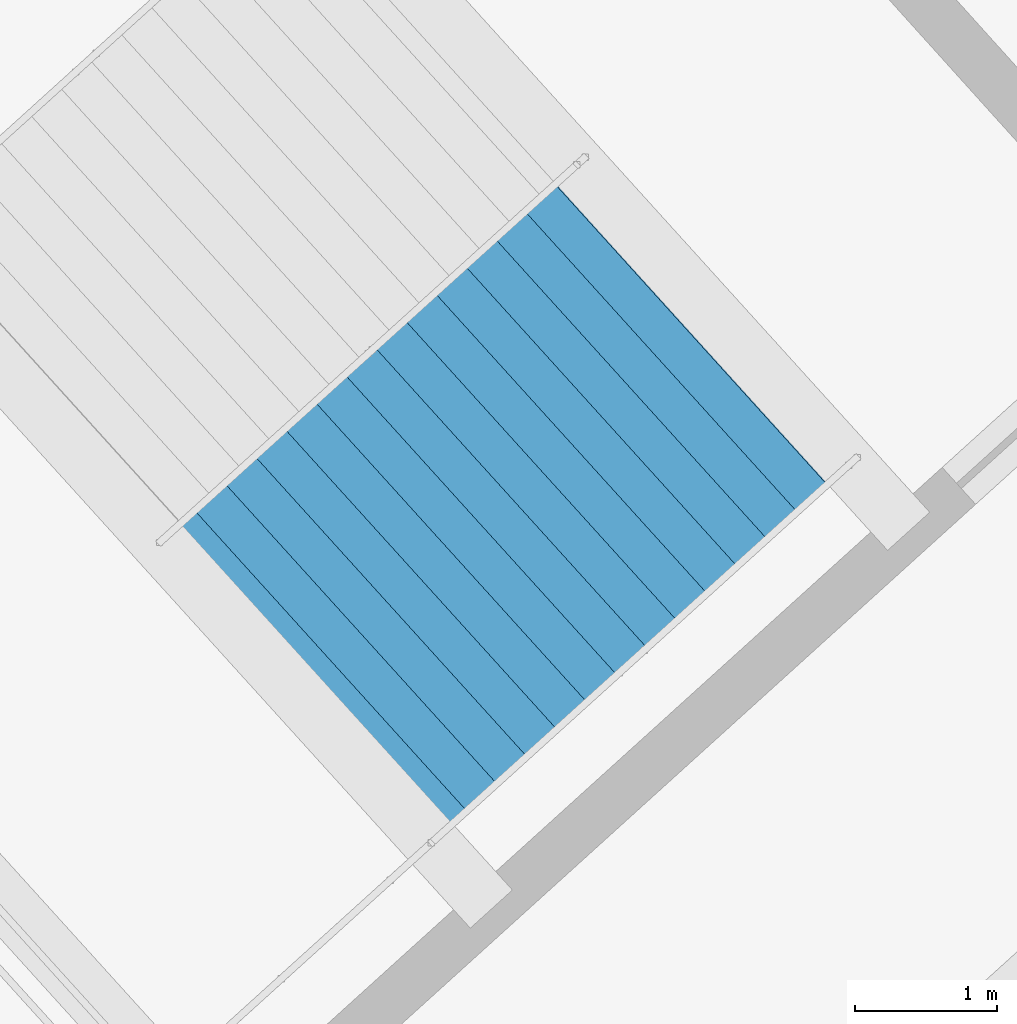
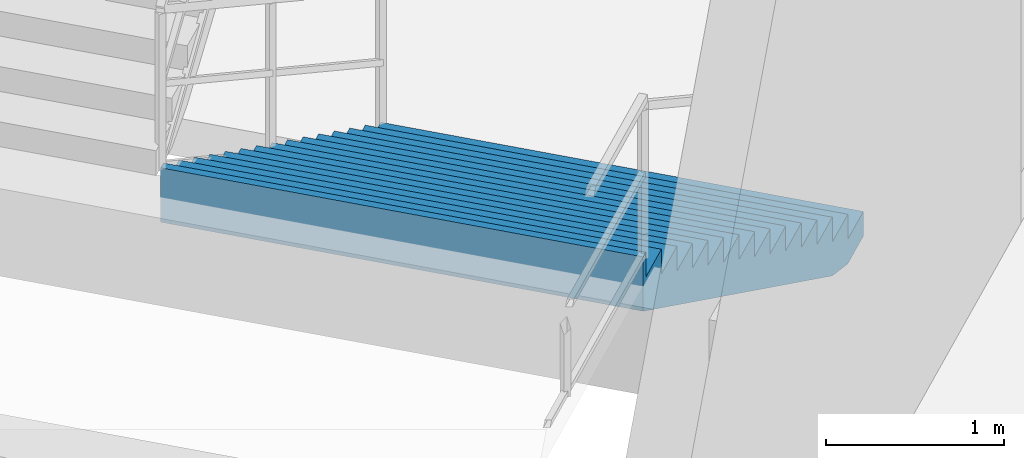
# One storey, part 169 of 184: 1 stair flight, 1 element without a shape of its own.
"""IFC4 building model written with IfcOpenShell, lengths in metres."""

from ifc_helpers import new_model, si_unit, direction, frame, origin, place, context, subcontext, project, spatial, polygons, material, type_object, element, aggregate, save


model = new_model("IFC4")

# Units and contexts
model_context = context("Model", 3, precision=1e-05, world=origin(), true_north=direction((0.0, 1.0)))
body_context = subcontext(model_context, "Body", "Model", "MODEL_VIEW")
ifc_project = project(units=[si_unit("LENGTHUNIT", "METRE"), si_unit("AREAUNIT", "SQUARE_METRE"), si_unit("VOLUMEUNIT", "CUBIC_METRE"), si_unit("PLANEANGLEUNIT", "RADIAN"), si_unit("MASSUNIT", "GRAM", prefix="KILO")], contexts=[model_context])

# Site, building, storey
site_placement = place(None, origin())
site = spatial("IfcSite", under=ifc_project, at=site_placement, CompositionType="ELEMENT")
building_placement = place(site_placement, origin())
building = spatial("IfcBuilding", under=site, at=building_placement, Name="Kazemori Nagisa Stadium", CompositionType="ELEMENT")
storey_placement = place(building_placement, frame((0.0, 0.0, 10.5400390625)))
storey = spatial("IfcBuildingStorey", under=building, at=storey_placement, Name="L02", CompositionType="ELEMENT", Elevation=10.5400390625)

# Stair, stair flight
ifc_material = material(Name="Concrete C36/45 (Fc36)", Category="concrete")
stair_type = type_object("IfcStairType", Name="Stair_CORE_30", PredefinedType="TWO_STRAIGHT_RUN_STAIR", material=ifc_material)
stair_placement = place(storey_placement, origin())
stair = element("IfcStair", 1, at=stair_placement, inside=storey, type_object=stair_type, Name="Exit stair ST02 L02", PredefinedType="TWO_STRAIGHT_RUN_STAIR")
stair_flight_type = type_object("IfcStairFlightType", Name="Flight_CORE_15", PredefinedType="STRAIGHT", material=ifc_material)
stair_flight_placement = place(storey_placement, frame((63.22412109375, 164.589599609375, 0.0), z_axis=(0.0, 0.0, 1.0), x_axis=(-0.741356002691, -0.671111970742, 0.0)))
stair_flight = element("IfcStairFlight", 2, at=stair_flight_placement, type_object=stair_flight_type, Name="Exit stair ST02 L02 flight 1", NumberOfRisers=15, NumberOfTreads=14, PredefinedType="STRAIGHT", RiserHeight=0.17, TreadLength=0.285, context=body_context, shape_type="Tessellation", body=[
    polygons([(0.0, -1.425048828125, 0.0), (0.0, -1.425048828125, 0.169921875), (0.284912109375, -1.425048828125, 0.169921875), (0.284912109375, -1.425048828125, 0.340087890625), (0.570068359375, -1.425048828125, 0.340087890625), (0.570068359375, -1.425048828125, 0.510009765625), (0.85498046875, -1.425048828125, 0.510009765625), (0.85498046875, -1.425048828125, 0.679931640625), (1.139892578125, -1.425048828125, 0.679931640625), (1.139892578125, -1.425048828125, 0.85009765625), (1.425048828125, -1.425048828125, 0.85009765625), (1.425048828125, -1.425048828125, 1.02001953125), (1.7099609375, -1.425048828125, 1.02001953125), (1.7099609375, -1.425048828125, 1.18994140625), (1.9951171875, -1.425048828125, 1.18994140625), (1.9951171875, -1.425048828125, 1.360107421875), (2.280029296875, -1.425048828125, 1.360107421875), (2.280029296875, -1.425048828125, 1.530029296875), (2.56494140625, -1.425048828125, 1.530029296875), (2.56494140625, -1.425048828125, 1.699951171875), (2.85009765625, -1.425048828125, 1.699951171875), (2.85009765625, -1.425048828125, 1.8701171875), (3.135009765625, -1.425048828125, 1.8701171875), (3.135009765625, -1.425048828125, 2.0400390625), (3.419921875, -1.425048828125, 2.0400390625), (3.419921875, -1.425048828125, 2.2099609375), (3.705078125, -1.425048828125, 2.2099609375), (3.705078125, -1.425048828125, 2.3798828125), (3.989990234375, -1.425048828125, 2.3798828125), (3.989990234375, -1.425048828125, 2.550048828125), (4.0400390625, -1.425048828125, 2.550048828125), (4.0400390625, -1.425048828125, 2.177001953125), (3.989990234375, -1.425048828125, 2.147216796875), (3.705078125, -1.425048828125, 1.977294921875), (3.419921875, -1.425048828125, 1.80712890625), (3.135009765625, -1.425048828125, 1.63720703125), (2.85009765625, -1.425048828125, 1.46728515625), (2.56494140625, -1.425048828125, 1.297119140625), (2.280029296875, -1.425048828125, 1.127197265625), (1.9951171875, -1.425048828125, 0.957275390625), (1.7099609375, -1.425048828125, 0.787109375), (1.425048828125, -1.425048828125, 0.6171875), (1.139892578125, -1.425048828125, 0.447265625), (0.85498046875, -1.425048828125, 0.277099609375), (0.570068359375, -1.425048828125, 0.107177734375), (0.284912109375, -1.425048828125, 0.0), (0.0, -0.08544921875, 0.0), (0.0, -0.08544921875, 0.169921875), (0.284912109375, -0.08544921875, 0.169921875), (0.284912109375, -0.08544921875, 0.340087890625), (0.570068359375, -0.08544921875, 0.340087890625), (0.570068359375, -0.08544921875, 0.510009765625), (0.85498046875, -0.08544921875, 0.510009765625), (0.85498046875, -0.08544921875, 0.679931640625), (1.139892578125, -0.08544921875, 0.679931640625), (1.139892578125, -0.08544921875, 0.85009765625), (1.425048828125, -0.08544921875, 0.85009765625), (1.425048828125, -0.08544921875, 1.02001953125), (1.7099609375, -0.08544921875, 1.02001953125), (1.7099609375, -0.08544921875, 1.18994140625), (1.9951171875, -0.08544921875, 1.18994140625), (1.9951171875, -0.08544921875, 1.360107421875), (2.280029296875, -0.08544921875, 1.360107421875), (2.280029296875, -0.08544921875, 1.530029296875), (2.56494140625, -0.08544921875, 1.530029296875), (2.56494140625, -0.08544921875, 1.699951171875), (2.85009765625, -0.08544921875, 1.699951171875), (2.85009765625, -0.08544921875, 1.8701171875), (3.135009765625, -0.08544921875, 1.8701171875), (3.135009765625, -0.08544921875, 2.0400390625), (3.419921875, -0.08544921875, 2.0400390625), (3.419921875, -0.08544921875, 2.2099609375), (3.705078125, -0.08544921875, 2.2099609375), (3.705078125, -0.08544921875, 2.3798828125), (3.989990234375, -0.08544921875, 2.3798828125), (3.989990234375, -0.08544921875, 2.550048828125), (4.0400390625, -0.08544921875, 2.550048828125), (4.0400390625, -0.08544921875, 2.177001953125), (3.989990234375, -0.08544921875, 2.147216796875), (3.705078125, -0.08544921875, 1.977294921875), (3.419921875, -0.08544921875, 1.80712890625), (3.135009765625, -0.08544921875, 1.63720703125), (2.85009765625, -0.08544921875, 1.46728515625), (2.56494140625, -0.08544921875, 1.297119140625), (2.280029296875, -0.08544921875, 1.127197265625), (1.9951171875, -0.08544921875, 0.957275390625), (1.7099609375, -0.08544921875, 0.787109375), (1.425048828125, -0.08544921875, 0.6171875), (1.139892578125, -0.08544921875, 0.447265625), (0.85498046875, -0.08544921875, 0.277099609375), (0.570068359375, -0.08544921875, 0.107177734375), (0.284912109375, -0.08544921875, 0.0), (0.0, 0.0, 0.0), (0.0, 0.0, 0.169921875), (0.284912109375, 0.0, 0.169921875), (0.284912109375, 0.0, 0.340087890625), (0.570068359375, 0.0, 0.340087890625), (0.570068359375, 0.0, 0.510009765625), (0.85498046875, 0.0, 0.510009765625), (0.85498046875, 0.0, 0.679931640625), (1.139892578125, 0.0, 0.679931640625), (1.139892578125, 0.0, 0.85009765625), (1.425048828125, 0.0, 0.85009765625), (1.425048828125, 0.0, 1.02001953125), (1.7099609375, 0.0, 1.02001953125), (1.7099609375, 0.0, 1.18994140625), (1.9951171875, 0.0, 1.18994140625), (1.9951171875, 0.0, 1.360107421875), (2.280029296875, 0.0, 1.360107421875), (2.280029296875, 0.0, 1.530029296875), (2.56494140625, 0.0, 1.530029296875), (2.56494140625, 0.0, 1.699951171875), (2.85009765625, 0.0, 1.699951171875), (2.85009765625, 0.0, 1.8701171875), (3.135009765625, 0.0, 1.8701171875), (3.135009765625, 0.0, 2.0400390625), (3.419921875, 0.0, 2.0400390625), (3.419921875, 0.0, 2.2099609375), (3.705078125, 0.0, 2.2099609375), (3.705078125, 0.0, 2.3798828125), (3.989990234375, 0.0, 2.3798828125), (3.989990234375, 0.0, 2.550048828125), (4.0400390625, 0.0, 2.550048828125), (4.0400390625, 0.0, 2.177001953125), (3.989990234375, 0.0, 2.147216796875), (3.705078125, 0.0, 1.977294921875), (3.419921875, 0.0, 1.80712890625), (3.135009765625, 0.0, 1.63720703125), (2.85009765625, 0.0, 1.46728515625), (2.56494140625, 0.0, 1.297119140625), (2.280029296875, 0.0, 1.127197265625), (1.9951171875, 0.0, 0.957275390625), (1.7099609375, 0.0, 0.787109375), (1.425048828125, 0.0, 0.6171875), (1.139892578125, 0.0, 0.447265625), (0.85498046875, 0.0, 0.277099609375), (0.570068359375, 0.0, 0.107177734375), (0.284912109375, 0.0, 0.0), (0.0, 0.08544921875, 0.0), (0.0, 0.08544921875, 0.169921875), (0.284912109375, 0.08544921875, 0.169921875), (0.284912109375, 0.08544921875, 0.340087890625), (0.570068359375, 0.08544921875, 0.340087890625), (0.570068359375, 0.08544921875, 0.510009765625), (0.85498046875, 0.08544921875, 0.510009765625), (0.85498046875, 0.08544921875, 0.679931640625), (1.139892578125, 0.08544921875, 0.679931640625), (1.139892578125, 0.08544921875, 0.85009765625), (1.425048828125, 0.08544921875, 0.85009765625), (1.425048828125, 0.08544921875, 1.02001953125), (1.7099609375, 0.08544921875, 1.02001953125), (1.7099609375, 0.08544921875, 1.18994140625), (1.9951171875, 0.08544921875, 1.18994140625), (1.9951171875, 0.08544921875, 1.360107421875), (2.280029296875, 0.08544921875, 1.360107421875), (2.280029296875, 0.08544921875, 1.530029296875), (2.56494140625, 0.08544921875, 1.530029296875), (2.56494140625, 0.08544921875, 1.699951171875), (2.85009765625, 0.08544921875, 1.699951171875), (2.85009765625, 0.08544921875, 1.8701171875), (3.135009765625, 0.08544921875, 1.8701171875), (3.135009765625, 0.08544921875, 2.0400390625), (3.419921875, 0.08544921875, 2.0400390625), (3.419921875, 0.08544921875, 2.2099609375), (3.705078125, 0.08544921875, 2.2099609375), (3.705078125, 0.08544921875, 2.3798828125), (3.989990234375, 0.08544921875, 2.3798828125), (3.989990234375, 0.08544921875, 2.550048828125), (4.0400390625, 0.08544921875, 2.550048828125), (4.0400390625, 0.08544921875, 2.177001953125), (3.989990234375, 0.08544921875, 2.147216796875), (3.705078125, 0.08544921875, 1.977294921875), (3.419921875, 0.08544921875, 1.80712890625), (3.135009765625, 0.08544921875, 1.63720703125), (2.85009765625, 0.08544921875, 1.46728515625), (2.56494140625, 0.08544921875, 1.297119140625), (2.280029296875, 0.08544921875, 1.127197265625), (1.9951171875, 0.08544921875, 0.957275390625), (1.7099609375, 0.08544921875, 0.787109375), (1.425048828125, 0.08544921875, 0.6171875), (1.139892578125, 0.08544921875, 0.447265625), (0.85498046875, 0.08544921875, 0.277099609375), (0.570068359375, 0.08544921875, 0.107177734375), (0.284912109375, 0.08544921875, 0.0), (0.0, 1.425048828125, 0.0), (0.0, 1.425048828125, 0.169921875), (0.284912109375, 1.425048828125, 0.169921875), (0.284912109375, 1.425048828125, 0.340087890625), (0.570068359375, 1.425048828125, 0.340087890625), (0.570068359375, 1.425048828125, 0.510009765625), (0.85498046875, 1.425048828125, 0.510009765625), (0.85498046875, 1.425048828125, 0.679931640625), (1.139892578125, 1.425048828125, 0.679931640625), (1.139892578125, 1.425048828125, 0.85009765625), (1.425048828125, 1.425048828125, 0.85009765625), (1.425048828125, 1.425048828125, 1.02001953125), (1.7099609375, 1.425048828125, 1.02001953125), (1.7099609375, 1.425048828125, 1.18994140625), (1.9951171875, 1.425048828125, 1.18994140625), (1.9951171875, 1.425048828125, 1.360107421875), (2.280029296875, 1.425048828125, 1.360107421875), (2.280029296875, 1.425048828125, 1.530029296875), (2.56494140625, 1.425048828125, 1.530029296875), (2.56494140625, 1.425048828125, 1.699951171875), (2.85009765625, 1.425048828125, 1.699951171875), (2.85009765625, 1.425048828125, 1.8701171875), (3.135009765625, 1.425048828125, 1.8701171875), (3.135009765625, 1.425048828125, 2.0400390625), (3.419921875, 1.425048828125, 2.0400390625), (3.419921875, 1.425048828125, 2.2099609375), (3.705078125, 1.425048828125, 2.2099609375), (3.705078125, 1.425048828125, 2.3798828125), (3.989990234375, 1.425048828125, 2.3798828125), (3.989990234375, 1.425048828125, 2.550048828125), (4.0400390625, 1.425048828125, 2.550048828125), (4.0400390625, 1.425048828125, 2.177001953125), (3.989990234375, 1.425048828125, 2.147216796875), (3.705078125, 1.425048828125, 1.977294921875), (3.419921875, 1.425048828125, 1.80712890625), (3.135009765625, 1.425048828125, 1.63720703125), (2.85009765625, 1.425048828125, 1.46728515625), (2.56494140625, 1.425048828125, 1.297119140625), (2.280029296875, 1.425048828125, 1.127197265625), (1.9951171875, 1.425048828125, 0.957275390625), (1.7099609375, 1.425048828125, 0.787109375), (1.425048828125, 1.425048828125, 0.6171875), (1.139892578125, 1.425048828125, 0.447265625), (0.85498046875, 1.425048828125, 0.277099609375), (0.570068359375, 1.425048828125, 0.107177734375), (0.284912109375, 1.425048828125, 0.0)], [[[1, 2, 48]], [[1, 48, 47]], [[2, 3, 49]], [[2, 49, 48]], [[3, 4, 50]], [[3, 50, 49]], [[4, 5, 51]], [[4, 51, 50]], [[5, 6, 52]], [[5, 52, 51]], [[6, 7, 53]], [[6, 53, 52]], [[7, 8, 54]], [[7, 54, 53]], [[8, 9, 55]], [[8, 55, 54]], [[9, 10, 56]], [[9, 56, 55]], [[10, 11, 57]], [[10, 57, 56]], [[11, 12, 58]], [[11, 58, 57]], [[12, 13, 59]], [[12, 59, 58]], [[13, 14, 60]], [[13, 60, 59]], [[14, 15, 61]], [[14, 61, 60]], [[15, 16, 62]], [[15, 62, 61]], [[16, 17, 63]], [[16, 63, 62]], [[17, 18, 64]], [[17, 64, 63]], [[18, 19, 65]], [[18, 65, 64]], [[19, 20, 66]], [[19, 66, 65]], [[20, 21, 67]], [[20, 67, 66]], [[21, 22, 68]], [[21, 68, 67]], [[22, 23, 69]], [[22, 69, 68]], [[23, 24, 70]], [[23, 70, 69]], [[24, 25, 71]], [[24, 71, 70]], [[25, 26, 72]], [[25, 72, 71]], [[26, 27, 73]], [[26, 73, 72]], [[27, 28, 74]], [[27, 74, 73]], [[28, 29, 75]], [[28, 75, 74]], [[29, 30, 76]], [[29, 76, 75]], [[30, 31, 77]], [[30, 77, 76]], [[31, 32, 78]], [[31, 78, 77]], [[32, 33, 79]], [[32, 79, 78]], [[33, 34, 80]], [[33, 80, 79]], [[34, 35, 81]], [[34, 81, 80]], [[35, 36, 82]], [[35, 82, 81]], [[36, 37, 83]], [[36, 83, 82]], [[37, 38, 84]], [[37, 84, 83]], [[38, 39, 85]], [[38, 85, 84]], [[39, 40, 86]], [[39, 86, 85]], [[40, 41, 87]], [[40, 87, 86]], [[41, 42, 88]], [[41, 88, 87]], [[42, 43, 89]], [[42, 89, 88]], [[43, 44, 90]], [[43, 90, 89]], [[44, 45, 91]], [[44, 91, 90]], [[45, 46, 92]], [[45, 92, 91]], [[46, 1, 47]], [[46, 47, 92]], [[47, 48, 94]], [[47, 94, 93]], [[48, 49, 95]], [[48, 95, 94]], [[49, 50, 96]], [[49, 96, 95]], [[50, 51, 97]], [[50, 97, 96]], [[51, 52, 98]], [[51, 98, 97]], [[52, 53, 99]], [[52, 99, 98]], [[53, 54, 100]], [[53, 100, 99]], [[54, 55, 101]], [[54, 101, 100]], [[55, 56, 102]], [[55, 102, 101]], [[56, 57, 103]], [[56, 103, 102]], [[57, 58, 104]], [[57, 104, 103]], [[58, 59, 105]], [[58, 105, 104]], [[59, 60, 106]], [[59, 106, 105]], [[60, 61, 107]], [[60, 107, 106]], [[61, 62, 108]], [[61, 108, 107]], [[62, 63, 109]], [[62, 109, 108]], [[63, 64, 110]], [[63, 110, 109]], [[64, 65, 111]], [[64, 111, 110]], [[65, 66, 112]], [[65, 112, 111]], [[66, 67, 113]], [[66, 113, 112]], [[67, 68, 114]], [[67, 114, 113]], [[68, 69, 115]], [[68, 115, 114]], [[69, 70, 116]], [[69, 116, 115]], [[70, 71, 117]], [[70, 117, 116]], [[71, 72, 118]], [[71, 118, 117]], [[72, 73, 119]], [[72, 119, 118]], [[73, 74, 120]], [[73, 120, 119]], [[74, 75, 121]], [[74, 121, 120]], [[75, 76, 122]], [[75, 122, 121]], [[76, 77, 123]], [[76, 123, 122]], [[77, 78, 124]], [[77, 124, 123]], [[78, 79, 125]], [[78, 125, 124]], [[79, 80, 126]], [[79, 126, 125]], [[80, 81, 127]], [[80, 127, 126]], [[81, 82, 128]], [[81, 128, 127]], [[82, 83, 129]], [[82, 129, 128]], [[83, 84, 130]], [[83, 130, 129]], [[84, 85, 131]], [[84, 131, 130]], [[85, 86, 132]], [[85, 132, 131]], [[86, 87, 133]], [[86, 133, 132]], [[87, 88, 134]], [[87, 134, 133]], [[88, 89, 135]], [[88, 135, 134]], [[89, 90, 136]], [[89, 136, 135]], [[90, 91, 137]], [[90, 137, 136]], [[91, 92, 138]], [[91, 138, 137]], [[92, 47, 93]], [[92, 93, 138]], [[93, 94, 140]], [[93, 140, 139]], [[94, 95, 141]], [[94, 141, 140]], [[95, 96, 142]], [[95, 142, 141]], [[96, 97, 143]], [[96, 143, 142]], [[97, 98, 144]], [[97, 144, 143]], [[98, 99, 145]], [[98, 145, 144]], [[99, 100, 146]], [[99, 146, 145]], [[100, 101, 147]], [[100, 147, 146]], [[101, 102, 148]], [[101, 148, 147]], [[102, 103, 149]], [[102, 149, 148]], [[103, 104, 150]], [[103, 150, 149]], [[104, 105, 151]], [[104, 151, 150]], [[105, 106, 152]], [[105, 152, 151]], [[106, 107, 153]], [[106, 153, 152]], [[107, 108, 154]], [[107, 154, 153]], [[108, 109, 155]], [[108, 155, 154]], [[109, 110, 156]], [[109, 156, 155]], [[110, 111, 157]], [[110, 157, 156]], [[111, 112, 158]], [[111, 158, 157]], [[112, 113, 159]], [[112, 159, 158]], [[113, 114, 160]], [[113, 160, 159]], [[114, 115, 161]], [[114, 161, 160]], [[115, 116, 162]], [[115, 162, 161]], [[116, 117, 163]], [[116, 163, 162]], [[117, 118, 164]], [[117, 164, 163]], [[118, 119, 165]], [[118, 165, 164]], [[119, 120, 166]], [[119, 166, 165]], [[120, 121, 167]], [[120, 167, 166]], [[121, 122, 168]], [[121, 168, 167]], [[122, 123, 169]], [[122, 169, 168]], [[123, 124, 170]], [[123, 170, 169]], [[124, 125, 171]], [[124, 171, 170]], [[125, 126, 172]], [[125, 172, 171]], [[126, 127, 173]], [[126, 173, 172]], [[127, 128, 174]], [[127, 174, 173]], [[128, 129, 175]], [[128, 175, 174]], [[129, 130, 176]], [[129, 176, 175]], [[130, 131, 177]], [[130, 177, 176]], [[131, 132, 178]], [[131, 178, 177]], [[132, 133, 179]], [[132, 179, 178]], [[133, 134, 180]], [[133, 180, 179]], [[134, 135, 181]], [[134, 181, 180]], [[135, 136, 182]], [[135, 182, 181]], [[136, 137, 183]], [[136, 183, 182]], [[137, 138, 184]], [[137, 184, 183]], [[138, 93, 139]], [[138, 139, 184]], [[139, 140, 186]], [[139, 186, 185]], [[140, 141, 187]], [[140, 187, 186]], [[141, 142, 188]], [[141, 188, 187]], [[142, 143, 189]], [[142, 189, 188]], [[143, 144, 190]], [[143, 190, 189]], [[144, 145, 191]], [[144, 191, 190]], [[145, 146, 192]], [[145, 192, 191]], [[146, 147, 193]], [[146, 193, 192]], [[147, 148, 194]], [[147, 194, 193]], [[148, 149, 195]], [[148, 195, 194]], [[149, 150, 196]], [[149, 196, 195]], [[150, 151, 197]], [[150, 197, 196]], [[151, 152, 198]], [[151, 198, 197]], [[152, 153, 199]], [[152, 199, 198]], [[153, 154, 200]], [[153, 200, 199]], [[154, 155, 201]], [[154, 201, 200]], [[155, 156, 202]], [[155, 202, 201]], [[156, 157, 203]], [[156, 203, 202]], [[157, 158, 204]], [[157, 204, 203]], [[158, 159, 205]], [[158, 205, 204]], [[159, 160, 206]], [[159, 206, 205]], [[160, 161, 207]], [[160, 207, 206]], [[161, 162, 208]], [[161, 208, 207]], [[162, 163, 209]], [[162, 209, 208]], [[163, 164, 210]], [[163, 210, 209]], [[164, 165, 211]], [[164, 211, 210]], [[165, 166, 212]], [[165, 212, 211]], [[166, 167, 213]], [[166, 213, 212]], [[167, 168, 214]], [[167, 214, 213]], [[168, 169, 215]], [[168, 215, 214]], [[169, 170, 216]], [[169, 216, 215]], [[170, 171, 217]], [[170, 217, 216]], [[171, 172, 218]], [[171, 218, 217]], [[172, 173, 219]], [[172, 219, 218]], [[173, 174, 220]], [[173, 220, 219]], [[174, 175, 221]], [[174, 221, 220]], [[175, 176, 222]], [[175, 222, 221]], [[176, 177, 223]], [[176, 223, 222]], [[177, 178, 224]], [[177, 224, 223]], [[178, 179, 225]], [[178, 225, 224]], [[179, 180, 226]], [[179, 226, 225]], [[180, 181, 227]], [[180, 227, 226]], [[181, 182, 228]], [[181, 228, 227]], [[182, 183, 229]], [[182, 229, 228]], [[183, 184, 230]], [[183, 230, 229]], [[184, 139, 185]], [[184, 185, 230]], [[3, 2, 1]], [[185, 186, 187]], [[46, 3, 1]], [[185, 187, 230]], [[45, 3, 46]], [[230, 187, 229]], [[5, 3, 45]], [[229, 187, 189]], [[5, 4, 3]], [[187, 188, 189]], [[44, 5, 45]], [[229, 189, 228]], [[7, 5, 44]], [[228, 189, 191]], [[7, 6, 5]], [[189, 190, 191]], [[43, 7, 44]], [[228, 191, 227]], [[9, 7, 43]], [[227, 191, 193]], [[9, 8, 7]], [[191, 192, 193]], [[42, 9, 43]], [[227, 193, 226]], [[11, 9, 42]], [[226, 193, 195]], [[11, 10, 9]], [[193, 194, 195]], [[41, 11, 42]], [[226, 195, 225]], [[13, 11, 41]], [[225, 195, 197]], [[13, 12, 11]], [[195, 196, 197]], [[40, 13, 41]], [[225, 197, 224]], [[15, 13, 40]], [[224, 197, 199]], [[15, 14, 13]], [[197, 198, 199]], [[39, 15, 40]], [[224, 199, 223]], [[17, 15, 39]], [[223, 199, 201]], [[17, 16, 15]], [[199, 200, 201]], [[38, 17, 39]], [[223, 201, 222]], [[19, 17, 38]], [[222, 201, 203]], [[19, 18, 17]], [[201, 202, 203]], [[37, 19, 38]], [[222, 203, 221]], [[21, 19, 37]], [[221, 203, 205]], [[21, 20, 19]], [[203, 204, 205]], [[36, 21, 37]], [[221, 205, 220]], [[23, 21, 36]], [[220, 205, 207]], [[23, 22, 21]], [[205, 206, 207]], [[35, 23, 36]], [[220, 207, 219]], [[25, 23, 35]], [[219, 207, 209]], [[25, 24, 23]], [[207, 208, 209]], [[34, 25, 35]], [[219, 209, 218]], [[27, 25, 34]], [[218, 209, 211]], [[27, 26, 25]], [[209, 210, 211]], [[33, 27, 34]], [[218, 211, 217]], [[29, 27, 33]], [[217, 211, 213]], [[29, 28, 27]], [[211, 212, 213]], [[32, 29, 33]], [[217, 213, 216]], [[31, 29, 32]], [[216, 213, 215]], [[31, 30, 29]], [[213, 214, 215]]], closed=True),
])
aggregate(stair, [stair_flight])

save(model, "model.ifc")
